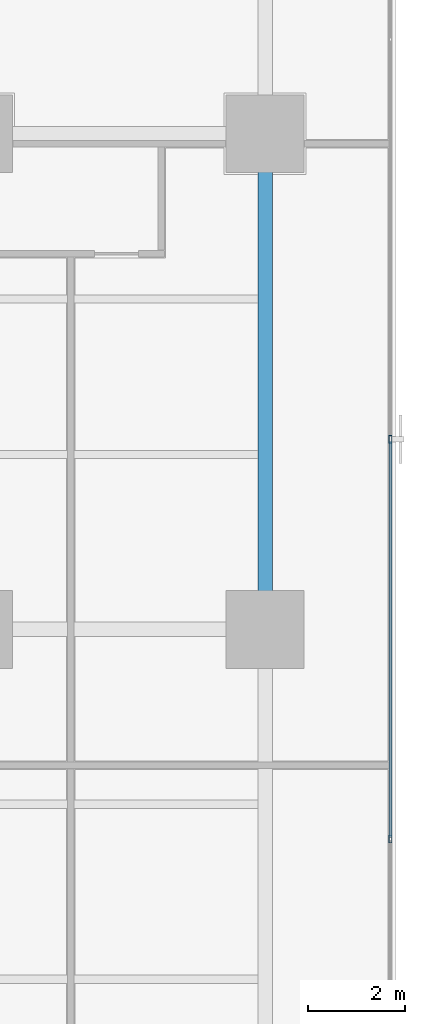
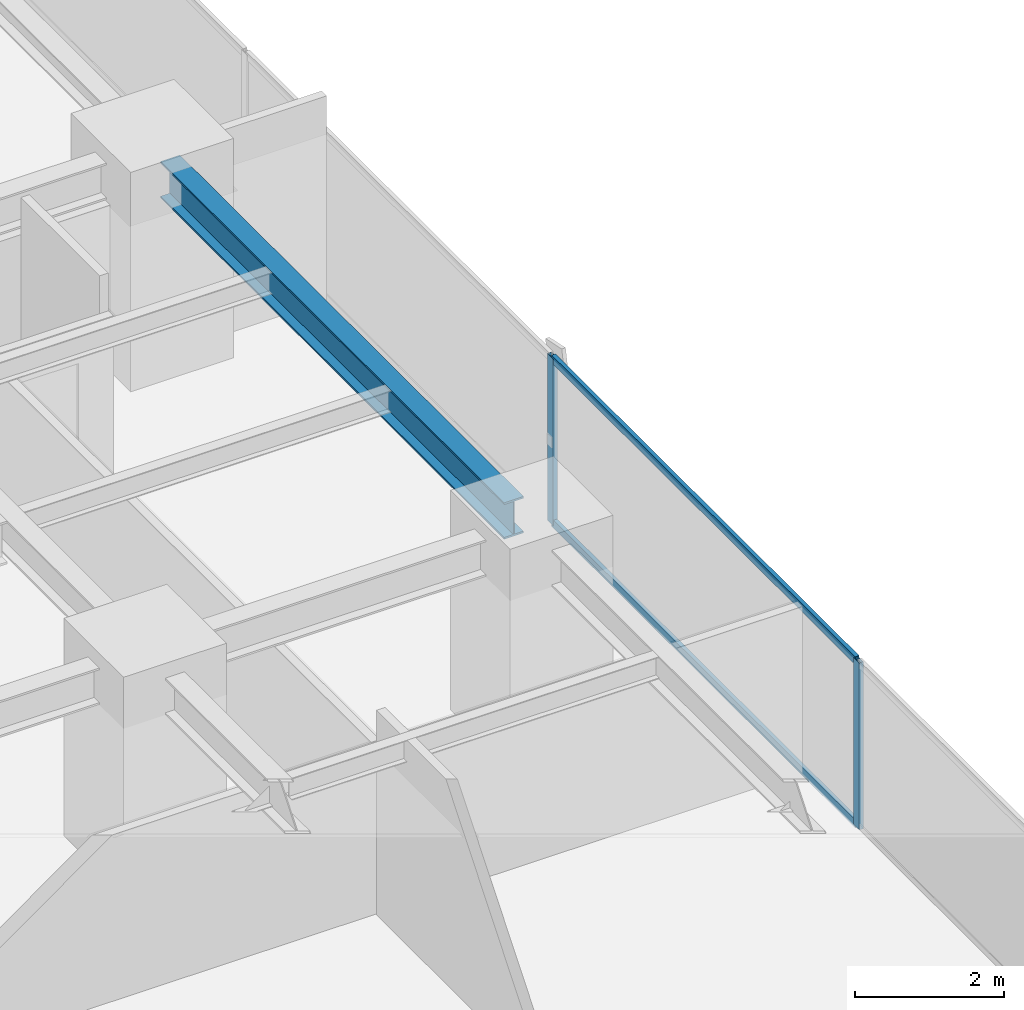
# One storey, part 16 of 36: 4 members, 1 beam, 1 element without a shape of its own.
"""IFC4 building model written with IfcOpenShell, lengths in metres."""

from ifc_helpers import new_model, si_unit, direction, frame, origin, origin_2d, place, context, subcontext, project, spatial, hollow_rectangle, i_section, extrude, source, transform, mapped, material, layer, layer_set, material_profile, profile_set, type_object, element, aggregate, save


model = new_model("IFC4")

# Units and contexts
model_context = context("Model", 3, precision=1e-05, world=origin(), true_north=direction((0.0, 1.0)))
body_context = subcontext(model_context, "Body", "Model", "MODEL_VIEW")
ifc_project = project(units=[si_unit("LENGTHUNIT", "METRE"), si_unit("AREAUNIT", "SQUARE_METRE"), si_unit("VOLUMEUNIT", "CUBIC_METRE"), si_unit("PLANEANGLEUNIT", "RADIAN"), si_unit("MASSUNIT", "GRAM", prefix="KILO")], contexts=[model_context])

# Site, building, storey
site_placement = place(None, origin())
site = spatial("IfcSite", under=ifc_project, at=site_placement, CompositionType="ELEMENT")
building_placement = place(site_placement, origin())
building = spatial("IfcBuilding", under=site, at=building_placement, Name="Sumidabori Civic Tower", CompositionType="ELEMENT")
storey_placement = place(building_placement, frame((0.0, 0.0, 77.60009765625)))
storey = spatial("IfcBuildingStorey", under=building, at=storey_placement, Name="L19", CompositionType="ELEMENT", Elevation=77.60009765625)

# Beam
ifc_material_1 = material(Name="Steel SN490", Category="steel")
ifc_material_profile_1 = material_profile(ifc_material_1, i_section(OverallWidth=0.300048828125, OverallDepth=0.60009765625, WebThickness=0.015380859375, FlangeThickness=0.030029296875, at=origin_2d()), Name="HE 600 B")
ifc_profile_set_1 = profile_set([ifc_material_profile_1], Name="Steel SN490")
beam_type = type_object("IfcBeamType", Name="BM-GIRD-600", PredefinedType="BEAM", material=ifc_profile_set_1)
shared_shape_1 = source(origin(), body_context, "Body", "SweptSolid", [
    extrude(i_section(OverallWidth=0.300048828125, OverallDepth=0.60009765625, WebThickness=0.015380859375, FlangeThickness=0.030029296875, at=origin_2d()), origin(), (0.0, 0.0, 1.0), 9.239990234375),
])
beam_placement = place(storey_placement, frame((22.800048828125, 0.47998046875, 3.059814453125), z_axis=(0.0, 1.0, 0.0), x_axis=(-1.0, 0.0, 0.0)))
element("IfcBeam", 1, at=beam_placement, inside=storey, type_object=beam_type, Name="Primary Girder L19 GY-41", PredefinedType="BEAM", context=body_context, shape_type="MappedRepresentation", body=[
    mapped(shared_shape_1, transform((0.0, 0.0, 0.0), x_axis=(1.0, 0.0, 0.0), y_axis=(0.0, 1.0, 0.0), z_axis=(0.0, 0.0, 1.0), scale=1.0)),
])

# Curtain wall, members
ifc_material_2 = material(Name="Anodised Bronze Aluminium AW-6063-T6", Category="aluminium")
ifc_layer = layer(ifc_material_2, 0.179931640625, Name="Anodised Bronze Aluminium AW-6063-T6")
ifc_layer_set = layer_set([ifc_layer], Name="Anodised Bronze Aluminium AW-6063-T6")
curtain_wall_type = type_object("IfcCurtainWallType", Name="CW-SYS-3", PredefinedType="NOTDEFINED", material=ifc_layer_set)
curtain_wall_placement = place(storey_placement, origin())
curtain_wall = element("IfcCurtainWall", 2, at=curtain_wall_placement, inside=storey, type_object=curtain_wall_type, Name="Curtain Wall CW:L19:R04", PredefinedType="NOTDEFINED")
ifc_material_profile_2 = material_profile(ifc_material_2, hollow_rectangle(XDim=0.06494140625, YDim=0.159912109375, WallThickness=0.0048828125, at=origin_2d()), Name="ALU MULLION 160x65")
ifc_profile_set_2 = profile_set([ifc_material_profile_2], Name="Anodised Bronze Aluminium AW-6063-T6")
member_type_1 = type_object("IfcMemberType", Name="CW-MUL-160", PredefinedType="MULLION", material=ifc_profile_set_2)
shared_shape_2 = source(origin(), body_context, "Body", "SweptSolid", [
    extrude(hollow_rectangle(XDim=0.06494140625, YDim=0.159912109375, WallThickness=0.0048828125, at=origin_2d()), origin(), (0.0, 0.0, 1.0), 2.739990234375),
])
member_1_placement = place(storey_placement, frame((25.3798828125, -4.31396484375, 0.0), z_axis=(0.0, 0.0, 1.0), x_axis=(-1.0, 0.0, 0.0)))
member_1 = element("IfcMember", 3, at=member_1_placement, type_object=member_type_1, Name="CW-3 mullion 3", PredefinedType="MULLION", context=body_context, shape_type="MappedRepresentation", body=[
    mapped(shared_shape_2, transform((0.0, 0.0, 0.0), x_axis=(1.0, 0.0, 0.0), y_axis=(0.0, 1.0, 0.0), z_axis=(0.0, 0.0, 1.0), scale=1.0)),
])
member_2_placement = place(storey_placement, frame((25.3798828125, 3.9140625, 0.0), z_axis=(0.0, 0.0, 1.0), x_axis=(-1.0, 0.0, 0.0)))
member_2 = element("IfcMember", 4, at=member_2_placement, type_object=member_type_1, Name="CW-3 mullion 4", PredefinedType="MULLION", context=body_context, shape_type="MappedRepresentation", body=[
    mapped(shared_shape_2, transform((0.0, 0.0, 0.0), x_axis=(1.0, 0.0, 0.0), y_axis=(0.0, 1.0, 0.0), z_axis=(0.0, 0.0, 1.0), scale=1.0)),
])
ifc_material_profile_3 = material_profile(ifc_material_2, hollow_rectangle(XDim=0.06005859375, YDim=0.1298828125, WallThickness=0.0048828125, at=origin_2d()), Name="ALU TRANSOM 130x60")
ifc_profile_set_3 = profile_set([ifc_material_profile_3], Name="Anodised Bronze Aluminium AW-6063-T6")
member_type_2 = type_object("IfcMemberType", Name="CW-TRN-130", PredefinedType="USERDEFINED", material=ifc_profile_set_3)
shared_shape_3 = source(origin(), body_context, "Body", "SweptSolid", [
    extrude(hollow_rectangle(XDim=0.06005859375, YDim=0.1298828125, WallThickness=0.0048828125, at=origin_2d()), origin(), (0.0, 0.0, 1.0), 8.1630859375),
])
member_3_placement = place(storey_placement, frame((25.3798828125, -4.281494140625, 0.02978515625), z_axis=(0.0, 1.0, 0.0), x_axis=(-1.0, 0.0, 0.0)))
member_3 = element("IfcMember", 5, at=member_3_placement, type_object=member_type_2, Name="CW-3 transom 3.1", ObjectType="TRANSOM", PredefinedType="USERDEFINED", context=body_context, shape_type="MappedRepresentation", body=[
    mapped(shared_shape_3, transform((0.0, 0.0, 0.0), x_axis=(1.0, 0.0, 0.0), y_axis=(0.0, 1.0, 0.0), z_axis=(0.0, 0.0, 1.0), scale=1.0)),
])
member_4_placement = place(storey_placement, frame((25.3798828125, -4.281494140625, 2.7099609375), z_axis=(0.0, 1.0, 0.0), x_axis=(-1.0, 0.0, 0.0)))
member_4 = element("IfcMember", 6, at=member_4_placement, type_object=member_type_2, Name="CW-3 transom 3.2", ObjectType="TRANSOM", PredefinedType="USERDEFINED", context=body_context, shape_type="MappedRepresentation", body=[
    mapped(shared_shape_3, transform((0.0, 0.0, 0.0), x_axis=(1.0, 0.0, 0.0), y_axis=(0.0, 1.0, 0.0), z_axis=(0.0, 0.0, 1.0), scale=1.0)),
])
aggregate(curtain_wall, [member_1, member_2, member_3, member_4])

save(model, "model.ifc")
